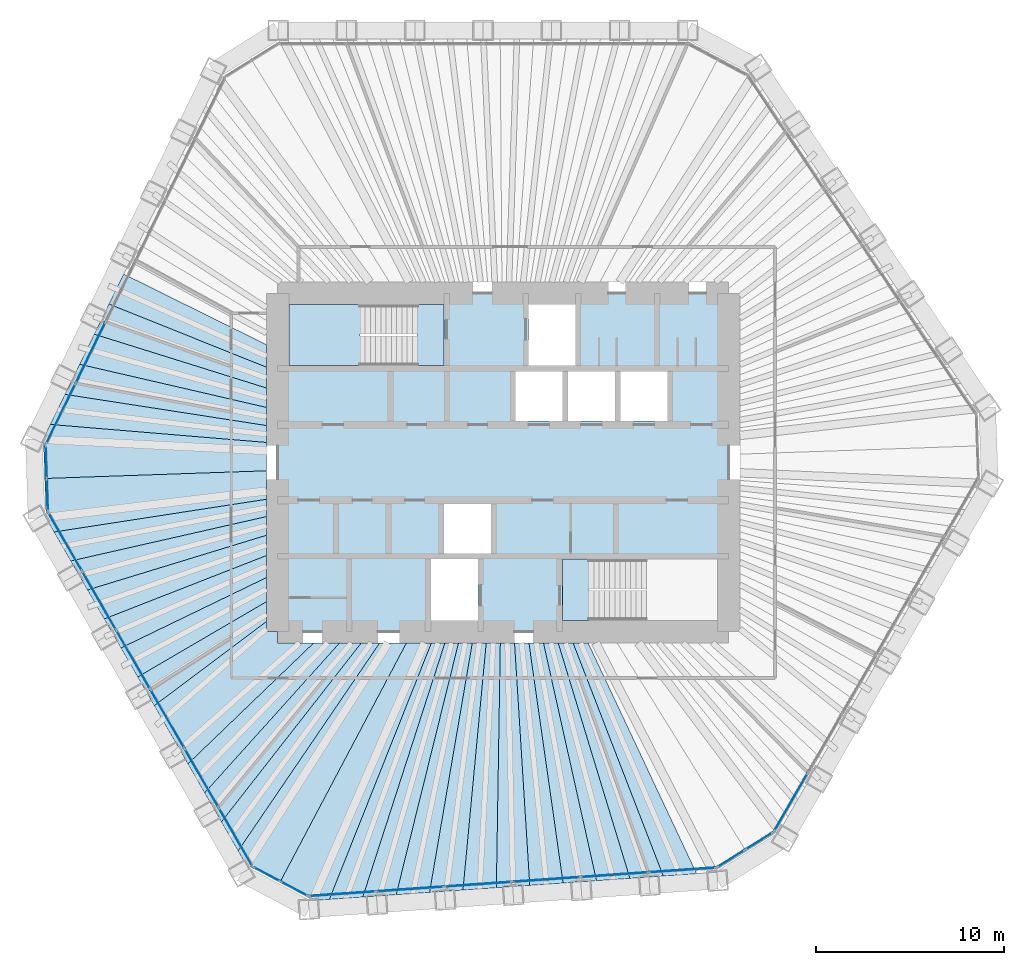
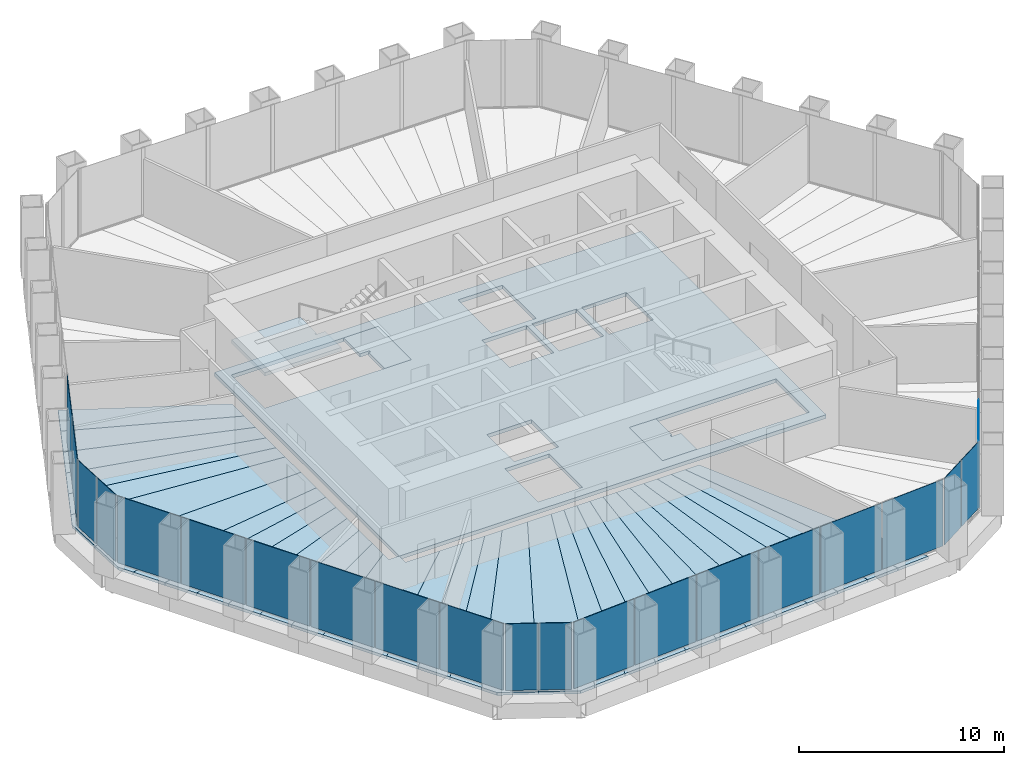
# One storey, part 8 of 13: 34 slabs, 21 plates, 9 elements without a shape of their own.
"""IFC4 building model written with IfcOpenShell, lengths in metres."""

import ifcopenshell
import ifcopenshell.guid

model = None  # the IFC model being written
_history = None  # IfcOwnerHistory: only IFC2X3 demands one
_inside = {}  # id of a spatial element -> (the spatial element, [elements in it])
_under = {}  # id of a project, library or spatial element -> (it, [spatial elements below it])
_declared = {}  # id of a project -> (the project, [libraries it declares])
_typed = {}  # id of a type object -> (the type object, [elements of that type])
_made_of = {}  # id of a material, layer set ... -> (it, [elements and type objects made of it])


def new_model(schema):
    """Start an empty IFC model of exactly this schema.

    Asked for "IFC4X3", IfcOpenShell would pick the latest addendum, in which some entities
    have other attributes; the version numbers below select the first issue.
    IFC2X3 requires an IfcOwnerHistory on every rooted entity: one is made here for all.
    """
    global model, _history
    if schema == "IFC4X3":
        model = ifcopenshell.file(schema_version=(4, 3, 0, 0))
    else:
        model = ifcopenshell.file(schema=schema)
    _inside.clear()
    _under.clear()
    _declared.clear()
    _typed.clear()
    _made_of.clear()
    _history = None
    if model.schema == "IFC2X3":
        org = make("IfcOrganization", Name="unknown")
        user = make(
            "IfcPersonAndOrganization",
            ThePerson=make("IfcPerson", FamilyName="unknown"),
            TheOrganization=org,
        )
        app = make(
            "IfcApplication",
            ApplicationDeveloper=org,
            Version="unknown",
            ApplicationFullName="unknown",
            ApplicationIdentifier="unknown",
        )
        _history = make(
            "IfcOwnerHistory",
            OwningUser=user,
            OwningApplication=app,
            ChangeAction="ADDED",
            CreationDate=0,
        )
    return model


def make(cls, **values):
    """One entity of the class cls with the attributes given. An attribute that is None is left unset."""
    return model.create_entity(
        cls, **{name: value for name, value in values.items() if value is not None}
    )


def rooted(cls, **values):
    """An entity with a GlobalId (a new one), such as an element, a storey or a relation."""
    return make(cls, GlobalId=ifcopenshell.guid.new(), OwnerHistory=_history, **values)


def si_unit(unit_type, name, prefix=None):
    """IfcSIUnit, for example si_unit("LENGTHUNIT", "METRE", prefix="MILLI")."""
    return make("IfcSIUnit", UnitType=unit_type, Prefix=prefix, Name=name)


def assignment(units):
    """IfcUnitAssignment: the units of a project."""
    return None if units is None else make("IfcUnitAssignment", Units=units)


def point(xyz):
    """IfcCartesianPoint."""
    return None if xyz is None else make("IfcCartesianPoint", Coordinates=xyz)


def direction(xyz):
    """IfcDirection."""
    return None if xyz is None else make("IfcDirection", DirectionRatios=xyz)


def frame(location, z_axis=None, x_axis=None):
    """IfcAxis2Placement3D, a coordinate frame: its origin and axes. An axis left out is left unset."""
    return make(
        "IfcAxis2Placement3D",
        Location=point(location),
        Axis=direction(z_axis),
        RefDirection=direction(x_axis),
    )


def frame_2d(location, x_axis=None):
    """IfcAxis2Placement2D, a coordinate frame in the plane: its origin and x axis."""
    return make(
        "IfcAxis2Placement2D", Location=point(location), RefDirection=direction(x_axis)
    )


def origin():
    """The frame at (0, 0, 0) with its axes left unset."""
    return frame((0.0, 0.0, 0.0))


def origin_2d():
    """The frame at (0, 0) in the plane with its x axis left unset."""
    return frame_2d((0.0, 0.0))


def place(relative_to, where):
    """IfcLocalPlacement: puts the frame where relative to a parent placement (None: the world)."""
    return make(
        "IfcLocalPlacement", PlacementRelTo=relative_to, RelativePlacement=where
    )


def context(
    kind, dimensions, precision=None, world=None, true_north=None, identifier=None
):
    """IfcGeometricRepresentationContext, for example the 3D "Model" context."""
    return make(
        "IfcGeometricRepresentationContext",
        ContextIdentifier=identifier,
        ContextType=kind,
        CoordinateSpaceDimension=dimensions,
        Precision=precision,
        WorldCoordinateSystem=world,
        TrueNorth=true_north,
    )


def subcontext(parent, identifier, kind, view, scale=None):
    """IfcGeometricRepresentationSubContext, for example "Body" below "Model"."""
    return make(
        "IfcGeometricRepresentationSubContext",
        ContextIdentifier=identifier,
        ContextType=kind,
        ParentContext=parent,
        TargetScale=scale,
        TargetView=view,
    )


def project(units=None, contexts=None):
    """IfcProject with its units and contexts."""
    return rooted(
        "IfcProject",
        Name="project",
        RepresentationContexts=contexts,
        UnitsInContext=assignment(units),
    )


def spatial(cls, under=None, at=None, **own):
    """A site, building, storey or space (cls), placed at a placement, below another one or the project."""
    s = rooted(cls, ObjectPlacement=at, **own)
    if under is not None:
        _under.setdefault(under.id(), (under, []))[1].append(s)
    return s


def polyline(points):
    """IfcPolyline through the points."""
    return make("IfcPolyline", Points=[point(p) for p in points])


def profile(cls, at=None, kind="AREA", **sizes):
    """A parametric profile (cls). Its sizes go by their IFC names, for example OverallWidth=200.0."""
    return make(cls, ProfileType=kind, Position=at, **sizes)


def rectangle(**sizes):
    """IfcRectangleProfileDef."""
    return profile("IfcRectangleProfileDef", **sizes)


def outline(outer, holes=None, kind="AREA"):
    """IfcArbitraryClosedProfileDef: a profile drawn as a closed curve; with holes, ...WithVoids."""
    if holes is None:
        return make("IfcArbitraryClosedProfileDef", ProfileType=kind, OuterCurve=outer)
    return make(
        "IfcArbitraryProfileDefWithVoids",
        ProfileType=kind,
        OuterCurve=outer,
        InnerCurves=holes,
    )


def extrude(swept, where, along, depth):
    """IfcExtrudedAreaSolid: the profile swept, set in the frame where, extruded along a direction by depth."""
    return make(
        "IfcExtrudedAreaSolid",
        SweptArea=swept,
        Position=where,
        ExtrudedDirection=direction(along),
        Depth=depth,
    )


def shape(context_of_items, identifier, shape_type, items):
    """IfcShapeRepresentation: the items that make up one representation, for example the "Body"."""
    return make(
        "IfcShapeRepresentation",
        ContextOfItems=context_of_items,
        RepresentationIdentifier=identifier,
        RepresentationType=shape_type,
        Items=items,
    )


def material(Name=None, Category=None):
    """IfcMaterial."""
    return make("IfcMaterial", Name=Name, Category=Category)


def layer(
    of_material, thickness, ventilated=None, Name=None, Category=None, Priority=None
):
    """IfcMaterialLayer: one layer of a wall or slab, of a material (None: an air gap)."""
    return make(
        "IfcMaterialLayer",
        Material=of_material,
        LayerThickness=thickness,
        IsVentilated=ventilated,
        Name=Name,
        Category=Category,
        Priority=Priority,
    )


def layer_set(layers, Name=None):
    """IfcMaterialLayerSet."""
    return make("IfcMaterialLayerSet", MaterialLayers=layers, LayerSetName=Name)


def made_of(thing, what):
    """Note that an element or type object is made of a material, layer set ...; save() writes the relation."""
    if what is not None:
        _made_of.setdefault(what.id(), (what, []))[1].append(thing)
    return thing


def type_object(cls, material=None, **own):
    """A type object (cls), such as IfcWallType, which elements share."""
    return made_of(rooted(cls, **own), material)


def element(
    cls,
    number,
    at=None,
    inside=None,
    cuts=None,
    type_object=None,
    material=None,
    context=None,
    identifier="Body",
    shape_type=None,
    held_by="IfcProductDefinitionShape",
    body=None,
    shapes=None,
    **own,
):
    """One element of the class cls, such as IfcWall. Its Tag is "e" and its number.

    at: its placement. inside: the storey or other place that contains it. cuts: it is an
    opening in that element (IfcRelVoidsElement). A single representation is given by context,
    identifier, shape_type and body (its items); several are given by shapes. held_by: the class
    of the entity that holds the representations. save() writes the other relations.
    """
    e = rooted(cls, Tag="e%d" % number, ObjectPlacement=at, **own)
    if body is not None:
        shapes = [shape(context, identifier, shape_type, body)]
    if shapes is not None:
        e.Representation = make(held_by, Representations=shapes)
    if inside is not None:
        _inside.setdefault(inside.id(), (inside, []))[1].append(e)
    if cuts is not None:
        rooted(
            "IfcRelVoidsElement", RelatingBuildingElement=cuts, RelatedOpeningElement=e
        )
    if type_object is not None:
        _typed.setdefault(type_object.id(), (type_object, []))[1].append(e)
    return made_of(e, material)


def aggregate(whole, parts):
    """IfcRelAggregates: a whole, such as a stair, and the parts it consists of."""
    return rooted("IfcRelAggregates", RelatingObject=whole, RelatedObjects=parts)


def save(model, path):
    """Write the relations noted so far, then the file.

    IfcRelAggregates (storeys below a building ...), IfcRelContainedInSpatialStructure (elements
    in a storey), IfcRelDefinesByType, IfcRelAssociatesMaterial and IfcRelDeclares: one each for
    every whole, place, type object, material and project.
    """
    for whole, parts in _under.values():
        aggregate(whole, parts)
    for where, things in _inside.values():
        rooted(
            "IfcRelContainedInSpatialStructure",
            RelatedElements=things,
            RelatingStructure=where,
        )
    for kind, things in _typed.values():
        rooted("IfcRelDefinesByType", RelatedObjects=things, RelatingType=kind)
    for what, things in _made_of.values():
        rooted("IfcRelAssociatesMaterial", RelatedObjects=things, RelatingMaterial=what)
    for by, libraries in _declared.values():
        rooted("IfcRelDeclares", RelatingContext=by, RelatedDefinitions=libraries)
    model.write(path)


model = new_model("IFC4")

# Units and contexts
model_context = context("Model", 3, precision=1e-05, world=origin(), true_north=direction((0.0, 1.0)))
body_context = subcontext(model_context, "Body", "Model", "MODEL_VIEW")
ifc_project = project(units=[si_unit("LENGTHUNIT", "METRE"), si_unit("AREAUNIT", "SQUARE_METRE"), si_unit("VOLUMEUNIT", "CUBIC_METRE"), si_unit("PLANEANGLEUNIT", "RADIAN"), si_unit("MASSUNIT", "GRAM", prefix="KILO")], contexts=[model_context])

# Site, building, storey
site_placement = place(None, origin())
site = spatial("IfcSite", under=ifc_project, at=site_placement, CompositionType="ELEMENT")
building_placement = place(site_placement, origin())
building = spatial("IfcBuilding", under=site, at=building_placement, Name="Qingtian Harvest Tower", CompositionType="ELEMENT")
storey_placement = place(building_placement, frame((0.0, 0.0, 188.800048828125)))
storey = spatial("IfcBuildingStorey", under=building, at=storey_placement, Name="L40", CompositionType="ELEMENT", Elevation=188.800048828125)

# Slabs
ifc_material_1 = material(Name="Concrete fc' 35 MPa", Category="concrete")
ifc_layer_1 = layer(ifc_material_1, 0.169921875)
ifc_layer_set_1 = layer_set([ifc_layer_1], Name="Composite floor slab FS17 170")
slab_type_1 = type_object("IfcSlabType", Name="Composite floor slab FS17 170", PredefinedType="FLOOR", material=ifc_layer_set_1)
slab_1_placement = place(storey_placement, frame((0.0, 0.0, -0.170166015625)))
element("IfcSlab", 1, at=slab_1_placement, inside=storey, type_object=slab_type_1, Name="Floor slab L40 panel D01", PredefinedType="FLOOR", context=body_context, shape_type="SweptSolid", body=[
    extrude(outline(polyline([(-24.403564453125, -0.852294921875), (-12.60009765625, -0.443115234375), (-12.60009765625, -1.958984375), (-23.9072265625, -3.701416015625), (-24.32958984375, -2.969970703125), (-24.403564453125, -0.852294921875)])), origin(), (0.0, 0.0, 1.0), 0.170166015625),
])
slab_2_placement = place(storey_placement, frame((0.0, 0.0, -0.170166015625)))
element("IfcSlab", 2, at=slab_2_placement, inside=storey, type_object=slab_type_1, Name="Floor slab L40 panel D02", PredefinedType="FLOOR", context=body_context, shape_type="SweptSolid", body=[
    extrude(outline(polyline([(-12.60009765625, -2.880126953125), (-23.016357421875, -5.244384765625), (-23.9072265625, -3.701416015625), (-12.60009765625, -1.958984375), (-12.60009765625, -2.880126953125)])), origin(), (0.0, 0.0, 1.0), 0.170166015625),
])
slab_3_placement = place(storey_placement, frame((0.0, 0.0, -0.170166015625)))
element("IfcSlab", 3, at=slab_3_placement, inside=storey, type_object=slab_type_1, Name="Floor slab L40 panel D03", PredefinedType="FLOOR", context=body_context, shape_type="SweptSolid", body=[
    extrude(outline(polyline([(-12.60009765625, -3.87548828125), (-22.12548828125, -6.78759765625), (-23.016357421875, -5.244384765625), (-12.60009765625, -2.880126953125), (-12.60009765625, -3.87548828125)])), origin(), (0.0, 0.0, 1.0), 0.170166015625),
])
slab_4_placement = place(storey_placement, frame((0.0, 0.0, -0.170166015625)))
element("IfcSlab", 4, at=slab_4_placement, inside=storey, type_object=slab_type_1, Name="Floor slab L40 panel D04", PredefinedType="FLOOR", context=body_context, shape_type="SweptSolid", body=[
    extrude(outline(polyline([(-12.60009765625, -4.95458984375), (-21.234619140625, -8.33056640625), (-22.12548828125, -6.78759765625), (-12.60009765625, -3.87548828125), (-12.60009765625, -4.95458984375)])), origin(), (0.0, 0.0, 1.0), 0.170166015625),
])
slab_5_placement = place(storey_placement, frame((0.0, 0.0, -0.170166015625)))
element("IfcSlab", 5, at=slab_5_placement, inside=storey, type_object=slab_type_1, Name="Floor slab L40 panel D05", PredefinedType="FLOOR", context=body_context, shape_type="SweptSolid", body=[
    extrude(outline(polyline([(-12.60009765625, -6.128173828125), (-20.34375, -9.87353515625), (-21.234619140625, -8.33056640625), (-12.60009765625, -4.95458984375), (-12.60009765625, -6.128173828125)])), origin(), (0.0, 0.0, 1.0), 0.170166015625),
])
slab_6_placement = place(storey_placement, frame((0.0, 0.0, -0.170166015625)))
element("IfcSlab", 6, at=slab_6_placement, inside=storey, type_object=slab_type_1, Name="Floor slab L40 panel D06", PredefinedType="FLOOR", context=body_context, shape_type="SweptSolid", body=[
    extrude(outline(polyline([(-12.60009765625, -7.409423828125), (-19.452880859375, -11.41650390625), (-20.34375, -9.87353515625), (-12.60009765625, -6.128173828125), (-12.60009765625, -7.409423828125)])), origin(), (0.0, 0.0, 1.0), 0.170166015625),
])
slab_7_placement = place(storey_placement, frame((0.0, 0.0, -0.170166015625)))
element("IfcSlab", 7, at=slab_7_placement, inside=storey, type_object=slab_type_1, Name="Floor slab L40 panel D07", PredefinedType="FLOOR", context=body_context, shape_type="SweptSolid", body=[
    extrude(outline(polyline([(-12.60009765625, -8.46435546875), (-18.5703125, -12.9453125), (-19.452880859375, -11.41650390625), (-12.60009765625, -7.409423828125), (-12.60009765625, -8.46435546875)])), origin(), (0.0, 0.0, 1.0), 0.170166015625),
])
slab_8_placement = place(storey_placement, frame((0.0, 0.0, -0.170166015625)))
element("IfcSlab", 8, at=slab_8_placement, inside=storey, type_object=slab_type_1, Name="Floor slab L40 panel D09", PredefinedType="FLOOR", context=body_context, shape_type="SweptSolid", body=[
    extrude(outline(polyline([(-16.781494140625, -16.043701171875), (-18.5703125, -12.9453125), (-12.60009765625, -8.46435546875), (-12.60009765625, -9.0), (-12.0, -9.0), (-12.0, -9.60009765625), (-10.07666015625, -9.60009765625), (-16.781494140625, -16.043701171875)])), origin(), (0.0, 0.0, 1.0), 0.170166015625),
])
slab_9_placement = place(storey_placement, frame((0.0, 0.0, -0.170166015625)))
element("IfcSlab", 9, at=slab_9_placement, inside=storey, type_object=slab_type_1, Name="Floor slab L40 panel D10", PredefinedType="FLOOR", context=body_context, shape_type="SweptSolid", body=[
    extrude(outline(polyline([(-8.700927734375, -9.60009765625), (-15.890380859375, -17.5869140625), (-16.781494140625, -16.043701171875), (-10.07666015625, -9.60009765625), (-8.700927734375, -9.60009765625)])), origin(), (0.0, 0.0, 1.0), 0.170166015625),
])
slab_10_placement = place(storey_placement, frame((0.0, 0.0, -0.170166015625)))
element("IfcSlab", 10, at=slab_10_placement, inside=storey, type_object=slab_type_1, Name="Floor slab L40 panel D11", PredefinedType="FLOOR", context=body_context, shape_type="SweptSolid", body=[
    extrude(outline(polyline([(-7.548095703125, -9.60009765625), (-14.99951171875, -19.1298828125), (-15.890380859375, -17.5869140625), (-8.700927734375, -9.60009765625), (-7.548095703125, -9.60009765625)])), origin(), (0.0, 0.0, 1.0), 0.170166015625),
])
slab_11_placement = place(storey_placement, frame((0.0, 0.0, -0.170166015625)))
element("IfcSlab", 11, at=slab_11_placement, inside=storey, type_object=slab_type_1, Name="Floor slab L40 panel D12", PredefinedType="FLOOR", context=body_context, shape_type="SweptSolid", body=[
    extrude(outline(polyline([(-6.568359375, -9.60009765625), (-14.108642578125, -20.673095703125), (-14.99951171875, -19.1298828125), (-7.548095703125, -9.60009765625), (-6.568359375, -9.60009765625)])), origin(), (0.0, 0.0, 1.0), 0.170166015625),
])
slab_12_placement = place(storey_placement, frame((0.0, 0.0, -0.170166015625)))
element("IfcSlab", 12, at=slab_12_placement, inside=storey, type_object=slab_type_1, Name="Floor slab L40 panel D13", PredefinedType="FLOOR", context=body_context, shape_type="SweptSolid", body=[
    extrude(outline(polyline([(-6.568359375, -9.60009765625), (-5.14501953125, -9.60009765625), (-11.890380859375, -22.359619140625), (-13.686279296875, -21.40478515625), (-14.108642578125, -20.673095703125), (-6.568359375, -9.60009765625)])), origin(), (0.0, 0.0, 1.0), 0.170166015625),
])
slab_13_placement = place(storey_placement, frame((0.0, 0.0, -0.170166015625)))
element("IfcSlab", 13, at=slab_13_placement, inside=storey, type_object=slab_type_1, Name="Floor slab L40 panel D14", PredefinedType="FLOOR", context=body_context, shape_type="SweptSolid", body=[
    extrude(outline(polyline([(-5.14501953125, -9.60009765625), (-3.817138671875, -9.60009765625), (-9.249755859375, -23.2568359375), (-10.092041015625, -23.315673828125), (-11.890380859375, -22.359619140625), (-5.14501953125, -9.60009765625)])), origin(), (0.0, 0.0, 1.0), 0.170166015625),
])
slab_14_placement = place(storey_placement, frame((0.0, 0.0, -0.170166015625)))
element("IfcSlab", 14, at=slab_14_placement, inside=storey, type_object=slab_type_1, Name="Floor slab L40 panel D15", PredefinedType="FLOOR", context=body_context, shape_type="SweptSolid", body=[
    extrude(outline(polyline([(-3.10009765625, -9.60009765625), (-7.472412109375, -23.132568359375), (-9.249755859375, -23.2568359375), (-3.817138671875, -9.60009765625), (-3.10009765625, -9.60009765625)])), origin(), (0.0, 0.0, 1.0), 0.170166015625),
])
slab_15_placement = place(storey_placement, frame((0.0, 0.0, -0.170166015625)))
element("IfcSlab", 15, at=slab_15_placement, inside=storey, type_object=slab_type_1, Name="Floor slab L40 panel D16", PredefinedType="FLOOR", context=body_context, shape_type="SweptSolid", body=[
    extrude(outline(polyline([(-2.375244140625, -9.60009765625), (-5.695068359375, -23.00830078125), (-7.472412109375, -23.132568359375), (-3.10009765625, -9.60009765625), (-2.375244140625, -9.60009765625)])), origin(), (0.0, 0.0, 1.0), 0.170166015625),
])
slab_16_placement = place(storey_placement, frame((0.0, 0.0, -0.170166015625)))
element("IfcSlab", 16, at=slab_16_placement, inside=storey, type_object=slab_type_1, Name="Floor slab L40 panel D17", PredefinedType="FLOOR", context=body_context, shape_type="SweptSolid", body=[
    extrude(outline(polyline([(-1.642578125, -9.60009765625), (-3.91796875, -22.884033203125), (-5.695068359375, -23.00830078125), (-2.375244140625, -9.60009765625), (-1.642578125, -9.60009765625)])), origin(), (0.0, 0.0, 1.0), 0.170166015625),
])
slab_17_placement = place(storey_placement, frame((0.0, 0.0, -0.170166015625)))
element("IfcSlab", 17, at=slab_17_placement, inside=storey, type_object=slab_type_1, Name="Floor slab L40 panel D18", PredefinedType="FLOOR", context=body_context, shape_type="SweptSolid", body=[
    extrude(outline(polyline([(-0.90185546875, -9.60009765625), (-2.140625, -22.759765625), (-3.91796875, -22.884033203125), (-1.642578125, -9.60009765625), (-0.90185546875, -9.60009765625)])), origin(), (0.0, 0.0, 1.0), 0.170166015625),
])
slab_18_placement = place(storey_placement, frame((0.0, 0.0, -0.170166015625)))
element("IfcSlab", 18, at=slab_18_placement, inside=storey, type_object=slab_type_1, Name="Floor slab L40 panel D19", PredefinedType="FLOOR", context=body_context, shape_type="SweptSolid", body=[
    extrude(outline(polyline([(-0.153076171875, -9.60009765625), (-0.36328125, -22.635498046875), (-2.140625, -22.759765625), (-0.90185546875, -9.60009765625), (-0.153076171875, -9.60009765625)])), origin(), (0.0, 0.0, 1.0), 0.170166015625),
])
slab_19_placement = place(storey_placement, frame((0.0, 0.0, -0.170166015625)))
element("IfcSlab", 19, at=slab_19_placement, inside=storey, type_object=slab_type_1, Name="Floor slab L40 panel D20", PredefinedType="FLOOR", context=body_context, shape_type="SweptSolid", body=[
    extrude(outline(polyline([(0.60400390625, -9.60009765625), (1.4140625, -22.51123046875), (-0.36328125, -22.635498046875), (-0.153076171875, -9.60009765625), (0.60400390625, -9.60009765625)])), origin(), (0.0, 0.0, 1.0), 0.170166015625),
])
slab_20_placement = place(storey_placement, frame((0.0, 0.0, -0.170166015625)))
element("IfcSlab", 20, at=slab_20_placement, inside=storey, type_object=slab_type_1, Name="Floor slab L40 panel D21", PredefinedType="FLOOR", context=body_context, shape_type="SweptSolid", body=[
    extrude(outline(polyline([(1.36962890625, -9.60009765625), (3.191162109375, -22.386962890625), (1.4140625, -22.51123046875), (0.60400390625, -9.60009765625), (1.36962890625, -9.60009765625)])), origin(), (0.0, 0.0, 1.0), 0.170166015625),
])
slab_21_placement = place(storey_placement, frame((0.0, 0.0, -0.170166015625)))
element("IfcSlab", 21, at=slab_21_placement, inside=storey, type_object=slab_type_1, Name="Floor slab L40 panel D22", PredefinedType="FLOOR", context=body_context, shape_type="SweptSolid", body=[
    extrude(outline(polyline([(2.1435546875, -9.60009765625), (4.968505859375, -22.2626953125), (3.191162109375, -22.386962890625), (1.36962890625, -9.60009765625), (2.1435546875, -9.60009765625)])), origin(), (0.0, 0.0, 1.0), 0.170166015625),
])
slab_22_placement = place(storey_placement, frame((0.0, 0.0, -0.170166015625)))
element("IfcSlab", 22, at=slab_22_placement, inside=storey, type_object=slab_type_1, Name="Floor slab L40 panel D23", PredefinedType="FLOOR", context=body_context, shape_type="SweptSolid", body=[
    extrude(outline(polyline([(2.92626953125, -9.60009765625), (6.745849609375, -22.138427734375), (4.968505859375, -22.2626953125), (2.1435546875, -9.60009765625), (2.92626953125, -9.60009765625)])), origin(), (0.0, 0.0, 1.0), 0.170166015625),
])
slab_23_placement = place(storey_placement, frame((0.0, 0.0, -0.170166015625)))
element("IfcSlab", 23, at=slab_23_placement, inside=storey, type_object=slab_type_1, Name="Floor slab L40 panel D24", PredefinedType="FLOOR", context=body_context, shape_type="SweptSolid", body=[
    extrude(outline(polyline([(3.718017578125, -9.60009765625), (8.523193359375, -22.01416015625), (6.745849609375, -22.138427734375), (2.92626953125, -9.60009765625), (3.718017578125, -9.60009765625)])), origin(), (0.0, 0.0, 1.0), 0.170166015625),
])
slab_24_placement = place(storey_placement, frame((0.0, 0.0, -0.170166015625)))
element("IfcSlab", 24, at=slab_24_placement, inside=storey, type_object=slab_type_1, Name="Floor slab L40 panel D25", PredefinedType="FLOOR", context=body_context, shape_type="SweptSolid", body=[
    extrude(outline(polyline([(4.5185546875, -9.60009765625), (10.30029296875, -21.889892578125), (8.523193359375, -22.01416015625), (3.718017578125, -9.60009765625), (4.5185546875, -9.60009765625)])), origin(), (0.0, 0.0, 1.0), 0.170166015625),
])
slab_25_placement = place(storey_placement, frame((0.0, 0.0, -0.170166015625)))
element("IfcSlab", 25, at=slab_25_placement, inside=storey, type_object=slab_type_1, Name="Floor slab L40 panel D73", PredefinedType="FLOOR", context=body_context, shape_type="SweptSolid", body=[
    extrude(outline(polyline([(-12.60009765625, 5.072509765625), (-20.983154296875, 8.43017578125), (-20.201904296875, 10.031494140625), (-12.60009765625, 6.268310546875), (-12.60009765625, 5.072509765625)])), origin(), (0.0, 0.0, 1.0), 0.170166015625),
])
slab_26_placement = place(storey_placement, frame((0.0, 0.0, -0.170166015625)))
element("IfcSlab", 26, at=slab_26_placement, inside=storey, type_object=slab_type_1, Name="Floor slab L40 panel D74", PredefinedType="FLOOR", context=body_context, shape_type="SweptSolid", body=[
    extrude(outline(polyline([(-12.60009765625, 3.962890625), (-21.76416015625, 6.828857421875), (-20.983154296875, 8.43017578125), (-12.60009765625, 5.072509765625), (-12.60009765625, 3.962890625)])), origin(), (0.0, 0.0, 1.0), 0.170166015625),
])
slab_27_placement = place(storey_placement, frame((0.0, 0.0, -0.170166015625)))
element("IfcSlab", 27, at=slab_27_placement, inside=storey, type_object=slab_type_1, Name="Floor slab L40 panel D75", PredefinedType="FLOOR", context=body_context, shape_type="SweptSolid", body=[
    extrude(outline(polyline([(-12.60009765625, 2.929931640625), (-22.545166015625, 5.2275390625), (-21.76416015625, 6.828857421875), (-12.60009765625, 3.962890625), (-12.60009765625, 2.929931640625)])), origin(), (0.0, 0.0, 1.0), 0.170166015625),
])
slab_28_placement = place(storey_placement, frame((0.0, 0.0, -0.170166015625)))
element("IfcSlab", 28, at=slab_28_placement, inside=storey, type_object=slab_type_1, Name="Floor slab L40 panel D76", PredefinedType="FLOOR", context=body_context, shape_type="SweptSolid", body=[
    extrude(outline(polyline([(-12.60009765625, 1.96630859375), (-23.326171875, 3.626220703125), (-22.545166015625, 5.2275390625), (-12.60009765625, 2.929931640625), (-12.60009765625, 1.96630859375)])), origin(), (0.0, 0.0, 1.0), 0.170166015625),
])
slab_29_placement = place(storey_placement, frame((0.0, 0.0, -0.170166015625)))
element("IfcSlab", 29, at=slab_29_placement, inside=storey, type_object=slab_type_1, Name="Floor slab L40 panel D77", PredefinedType="FLOOR", context=body_context, shape_type="SweptSolid", body=[
    extrude(outline(polyline([(-12.60009765625, 1.065185546875), (-24.107177734375, 2.02490234375), (-23.326171875, 3.626220703125), (-12.60009765625, 1.96630859375), (-12.60009765625, 1.065185546875)])), origin(), (0.0, 0.0, 1.0), 0.170166015625),
])
slab_30_placement = place(storey_placement, frame((0.0, 0.0, -0.170166015625)))
element("IfcSlab", 30, at=slab_30_placement, inside=storey, type_object=slab_type_1, Name="Floor slab L40 panel D78", PredefinedType="FLOOR", context=body_context, shape_type="SweptSolid", body=[
    extrude(outline(polyline([(-12.60009765625, 1.065185546875), (-12.60009765625, -0.443115234375), (-24.403564453125, -0.852294921875), (-24.4775390625, 1.265625), (-24.107177734375, 2.02490234375), (-12.60009765625, 1.065185546875)])), origin(), (0.0, 0.0, 1.0), 0.170166015625),
])
ifc_material_2 = material(Name="Concrete fc' 35 MPa", Category="concrete")
ifc_layer_2 = layer(ifc_material_2, 0.219970703125)
ifc_layer_set_2 = layer_set([ifc_layer_2], Name="Core floor slab CS22 220")
slab_type_2 = type_object("IfcSlabType", Name="Core floor slab CS22 220", PredefinedType="FLOOR", material=ifc_layer_set_2)
slab_31_placement = place(storey_placement, frame((0.0, 0.0, -0.219970703125)))
element("IfcSlab", 31, at=slab_31_placement, inside=storey, type_object=slab_type_2, Name="Core floor slab L40", PredefinedType="FLOOR", context=body_context, shape_type="SweptSolid", body=[
    extrude(outline(polyline([(-12.0, -9.0), (12.0, -9.0), (12.0, 9.0), (-12.0, 9.0), (-12.0, -9.0)]), holes=[polyline([(-11.39990234375, 5.14990234375), (-3.14990234375, 5.14990234375), (-3.14990234375, 8.39990234375), (-11.39990234375, 8.39990234375), (-11.39990234375, 5.14990234375)]), polyline([(3.14990234375, -8.39990234375), (11.39990234375, -8.39990234375), (11.39990234375, -5.14990234375), (3.14990234375, -5.14990234375), (3.14990234375, -8.39990234375)]), polyline([(1.35009765625, 5.14990234375), (3.85009765625, 5.14990234375), (3.85009765625, 8.39990234375), (1.35009765625, 8.39990234375), (1.35009765625, 5.14990234375)]), polyline([(-3.85009765625, -8.39990234375), (-1.35009765625, -8.39990234375), (-1.35009765625, -5.14990234375), (-3.85009765625, -5.14990234375), (-3.85009765625, -8.39990234375)]), polyline([(0.64990234375, 2.199951171875), (3.14990234375, 2.199951171875), (3.14990234375, 4.85009765625), (0.64990234375, 4.85009765625), (0.64990234375, 2.199951171875)]), polyline([(3.449951171875, 2.199951171875), (5.949951171875, 2.199951171875), (5.949951171875, 4.85009765625), (3.449951171875, 4.85009765625), (3.449951171875, 2.199951171875)]), polyline([(6.25, 2.199951171875), (8.75, 2.199951171875), (8.75, 4.85009765625), (6.25, 4.85009765625), (6.25, 2.199951171875)]), polyline([(-3.14990234375, -4.85009765625), (-0.64990234375, -4.85009765625), (-0.64990234375, -2.199951171875), (-3.14990234375, -2.199951171875), (-3.14990234375, -4.85009765625)])]), origin(), (0.0, 0.0, 1.0), 0.219970703125),
])

# Curtain wall, plate
ifc_material_3 = material(Name="Bronze-anodised aluminium curtain wall", Category="aluminium")
curtain_wall_type = type_object("IfcCurtainWallType", Name="Curtain wall CW4 office", PredefinedType="USERDEFINED", material=ifc_material_3)
curtain_wall_1_placement = place(storey_placement, origin())
curtain_wall_1 = element("IfcCurtainWall", 32, at=curtain_wall_1_placement, inside=storey, type_object=curtain_wall_type, Name="Curtain wall CW4 L40 SE0-5", ObjectType="RECESSED CURTAIN WALL", PredefinedType="USERDEFINED")
ifc_material_4 = material(Name="Bronze-tinted laminated insulating glass", Category="glass")
ifc_layer_3 = layer(ifc_material_4, 0.030029296875)
ifc_layer_set_3 = layer_set([ifc_layer_3], Name="Glazed panel CWP tinted IGU")
plate_type = type_object("IfcPlateType", Name="Glazed panel CWP tinted IGU", PredefinedType="CURTAIN_PANEL", material=ifc_layer_set_3)
plate_1_placement = place(storey_placement, frame((15.314208984375, -18.074951171875, 0.06494140625), z_axis=(0.0, 0.0, 1.0), x_axis=(-0.5, -0.866025403784, 0.0)))
plate_1 = element("IfcPlate", 33, at=plate_1_placement, type_object=plate_type, Name="CW4 panel 6.1", PredefinedType="CURTAIN_PANEL", context=body_context, shape_type="SweptSolid", body=[
    extrude(rectangle(XDim=3.5361328125, YDim=0.030029296875, at=origin_2d()), origin(), (0.0, 0.0, 1.0), 3.965087890625),
])
aggregate(curtain_wall_1, [plate_1])

# Curtain wall, plates
curtain_wall_2_placement = place(storey_placement, origin())
curtain_wall_2 = element("IfcCurtainWall", 34, at=curtain_wall_2_placement, inside=storey, type_object=curtain_wall_type, Name="Curtain wall CW4 L40 SEC", ObjectType="RECESSED CURTAIN WALL", PredefinedType="USERDEFINED")
plate_2_placement = place(storey_placement, frame((13.624755859375, -20.1455078125, 0.06494140625), z_axis=(0.0, 0.0, 1.0), x_axis=(-0.848048096156, -0.529919264233, 0.0)))
plate_2 = element("IfcPlate", 35, at=plate_2_placement, type_object=plate_type, Name="CW4 panel 1.1", PredefinedType="CURTAIN_PANEL", context=body_context, shape_type="SweptSolid", body=[
    extrude(rectangle(XDim=1.69287109375, YDim=0.030029296875, at=origin_2d()), origin(), (0.0, 0.0, 1.0), 3.965087890625),
])
plate_3_placement = place(storey_placement, frame((12.134033203125, -21.076904296875, 0.06494140625), z_axis=(0.0, 0.0, 1.0), x_axis=(-0.848048096156, -0.529919264233, 0.0)))
plate_3 = element("IfcPlate", 36, at=plate_3_placement, type_object=plate_type, Name="CW4 panel 2.1", PredefinedType="CURTAIN_PANEL", context=body_context, shape_type="SweptSolid", body=[
    extrude(rectangle(XDim=1.69287109375, YDim=0.030029296875, at=origin_2d()), origin(), (0.0, 0.0, 1.0), 3.965087890625),
])
aggregate(curtain_wall_2, [plate_2, plate_3])

curtain_wall_3_placement = place(storey_placement, origin())
curtain_wall_3 = element("IfcCurtainWall", 37, at=curtain_wall_3_placement, inside=storey, type_object=curtain_wall_type, Name="Curtain wall CW4 L40 S0-5", ObjectType="RECESSED CURTAIN WALL", PredefinedType="USERDEFINED")
plate_4_placement = place(storey_placement, frame((9.532470703125, -21.68798828125, 0.06494140625), z_axis=(0.0, 0.0, 1.0), x_axis=(-0.99756405026, -0.069756473744, 0.0)))
plate_4 = element("IfcPlate", 38, at=plate_4_placement, type_object=plate_type, Name="CW4 panel 1.1", PredefinedType="CURTAIN_PANEL", context=body_context, shape_type="SweptSolid", body=[
    extrude(rectangle(XDim=3.5361328125, YDim=0.030029296875, at=origin_2d()), origin(), (0.0, 0.0, 1.0), 3.965087890625),
])
plate_5_placement = place(storey_placement, frame((5.923828125, -21.940185546875, 0.06494140625), z_axis=(0.0, 0.0, 1.0), x_axis=(-0.99756405026, -0.069756473744, 0.0)))
plate_5 = element("IfcPlate", 39, at=plate_5_placement, type_object=plate_type, Name="CW4 panel 2.1", PredefinedType="CURTAIN_PANEL", context=body_context, shape_type="SweptSolid", body=[
    extrude(rectangle(XDim=3.568603515625, YDim=0.030029296875, at=origin_2d()), origin(), (0.0, 0.0, 1.0), 3.965087890625),
])
plate_6_placement = place(storey_placement, frame((2.299072265625, -22.193603515625, 0.06494140625), z_axis=(0.0, 0.0, 1.0), x_axis=(-0.99756405026, -0.069756473744, 0.0)))
plate_6 = element("IfcPlate", 40, at=plate_6_placement, type_object=plate_type, Name="CW4 panel 3.1", PredefinedType="CURTAIN_PANEL", context=body_context, shape_type="SweptSolid", body=[
    extrude(rectangle(XDim=3.568603515625, YDim=0.030029296875, at=origin_2d()), origin(), (0.0, 0.0, 1.0), 3.965087890625),
])
plate_7_placement = place(storey_placement, frame((-1.325439453125, -22.447021484375, 0.06494140625), z_axis=(0.0, 0.0, 1.0), x_axis=(-0.99756405026, -0.069756473744, 0.0)))
plate_7 = element("IfcPlate", 41, at=plate_7_placement, type_object=plate_type, Name="CW4 panel 4.1", PredefinedType="CURTAIN_PANEL", context=body_context, shape_type="SweptSolid", body=[
    extrude(rectangle(XDim=3.568603515625, YDim=0.030029296875, at=origin_2d()), origin(), (0.0, 0.0, 1.0), 3.965087890625),
])
plate_8_placement = place(storey_placement, frame((-4.9501953125, -22.70068359375, 0.06494140625), z_axis=(0.0, 0.0, 1.0), x_axis=(-0.99756405026, -0.069756473744, 0.0)))
plate_8 = element("IfcPlate", 42, at=plate_8_placement, type_object=plate_type, Name="CW4 panel 5.1", PredefinedType="CURTAIN_PANEL", context=body_context, shape_type="SweptSolid", body=[
    extrude(rectangle(XDim=3.568603515625, YDim=0.030029296875, at=origin_2d()), origin(), (0.0, 0.0, 1.0), 3.965087890625),
])
plate_9_placement = place(storey_placement, frame((-8.55859375, -22.952880859375, 0.06494140625), z_axis=(0.0, 0.0, 1.0), x_axis=(-0.99756405026, -0.069756473744, 0.0)))
plate_9 = element("IfcPlate", 43, at=plate_9_placement, type_object=plate_type, Name="CW4 panel 6.1", PredefinedType="CURTAIN_PANEL", context=body_context, shape_type="SweptSolid", body=[
    extrude(rectangle(XDim=3.5361328125, YDim=0.030029296875, at=origin_2d()), origin(), (0.0, 0.0, 1.0), 3.965087890625),
])
aggregate(curtain_wall_3, [plate_4, plate_5, plate_6, plate_7, plate_8, plate_9])

curtain_wall_4_placement = place(storey_placement, origin())
curtain_wall_4 = element("IfcCurtainWall", 44, at=curtain_wall_4_placement, inside=storey, type_object=curtain_wall_type, Name="Curtain wall CW4 L40 SC", ObjectType="RECESSED CURTAIN WALL", PredefinedType="USERDEFINED")
plate_10_placement = place(storey_placement, frame((-11.136474609375, -22.682373046875, 0.06494140625), z_axis=(0.0, 0.0, 1.0), x_axis=(-0.882947592859, 0.469471562786, 0.0)))
plate_10 = element("IfcPlate", 45, at=plate_10_placement, type_object=plate_type, Name="CW4 panel 1.1", PredefinedType="CURTAIN_PANEL", context=body_context, shape_type="SweptSolid", body=[
    extrude(rectangle(XDim=1.56689453125, YDim=0.030029296875, at=origin_2d()), origin(), (0.0, 0.0, 1.0), 3.965087890625),
])
plate_11_placement = place(storey_placement, frame((-12.5771484375, -21.916259765625, 0.06494140625), z_axis=(0.0, 0.0, 1.0), x_axis=(-0.882947592859, 0.469471562786, 0.0)))
plate_11 = element("IfcPlate", 46, at=plate_11_placement, type_object=plate_type, Name="CW4 panel 2.1", PredefinedType="CURTAIN_PANEL", context=body_context, shape_type="SweptSolid", body=[
    extrude(rectangle(XDim=1.56689453125, YDim=0.030029296875, at=origin_2d()), origin(), (0.0, 0.0, 1.0), 3.965087890625),
])
aggregate(curtain_wall_4, [plate_10, plate_11])

curtain_wall_5_placement = place(storey_placement, origin())
curtain_wall_5 = element("IfcCurtainWall", 47, at=curtain_wall_5_placement, inside=storey, type_object=curtain_wall_type, Name="Curtain wall CW4 L40 SW0-5", ObjectType="RECESSED CURTAIN WALL", PredefinedType="USERDEFINED")
plate_12_placement = place(storey_placement, frame((-14.242919921875, -19.9306640625, 0.06494140625), z_axis=(0.0, 0.0, 1.0), x_axis=(-0.5, 0.866025403784, 0.0)))
plate_12 = element("IfcPlate", 48, at=plate_12_placement, type_object=plate_type, Name="CW4 panel 1.1", PredefinedType="CURTAIN_PANEL", context=body_context, shape_type="SweptSolid", body=[
    extrude(rectangle(XDim=3.5361328125, YDim=0.030029296875, at=origin_2d()), origin(), (0.0, 0.0, 1.0), 3.965087890625),
])
plate_13_placement = place(storey_placement, frame((-16.051513671875, -16.7978515625, 0.06494140625), z_axis=(0.0, 0.0, 1.0), x_axis=(-0.5, 0.866025403784, 0.0)))
plate_13 = element("IfcPlate", 49, at=plate_13_placement, type_object=plate_type, Name="CW4 panel 2.1", PredefinedType="CURTAIN_PANEL", context=body_context, shape_type="SweptSolid", body=[
    extrude(rectangle(XDim=3.568603515625, YDim=0.030029296875, at=origin_2d()), origin(), (0.0, 0.0, 1.0), 3.965087890625),
])
plate_14_placement = place(storey_placement, frame((-17.868408203125, -13.651123046875, 0.06494140625), z_axis=(0.0, 0.0, 1.0), x_axis=(-0.5, 0.866025403784, 0.0)))
plate_14 = element("IfcPlate", 50, at=plate_14_placement, type_object=plate_type, Name="CW4 panel 3.1", PredefinedType="CURTAIN_PANEL", context=body_context, shape_type="SweptSolid", body=[
    extrude(rectangle(XDim=3.568603515625, YDim=0.030029296875, at=origin_2d()), origin(), (0.0, 0.0, 1.0), 3.965087890625),
])
plate_15_placement = place(storey_placement, frame((-19.68505859375, -10.50439453125, 0.06494140625), z_axis=(0.0, 0.0, 1.0), x_axis=(-0.5, 0.866025403784, 0.0)))
plate_15 = element("IfcPlate", 51, at=plate_15_placement, type_object=plate_type, Name="CW4 panel 4.1", PredefinedType="CURTAIN_PANEL", context=body_context, shape_type="SweptSolid", body=[
    extrude(rectangle(XDim=3.568603515625, YDim=0.030029296875, at=origin_2d()), origin(), (0.0, 0.0, 1.0), 3.965087890625),
])
plate_16_placement = place(storey_placement, frame((-21.501953125, -7.357666015625, 0.06494140625), z_axis=(0.0, 0.0, 1.0), x_axis=(-0.5, 0.866025403784, 0.0)))
plate_16 = element("IfcPlate", 52, at=plate_16_placement, type_object=plate_type, Name="CW4 panel 5.1", PredefinedType="CURTAIN_PANEL", context=body_context, shape_type="SweptSolid", body=[
    extrude(rectangle(XDim=3.568603515625, YDim=0.030029296875, at=origin_2d()), origin(), (0.0, 0.0, 1.0), 3.965087890625),
])
plate_17_placement = place(storey_placement, frame((-23.310546875, -4.22509765625, 0.06494140625), z_axis=(0.0, 0.0, 1.0), x_axis=(-0.5, 0.866025403784, 0.0)))
plate_17 = element("IfcPlate", 53, at=plate_17_placement, type_object=plate_type, Name="CW4 panel 6.1", PredefinedType="CURTAIN_PANEL", context=body_context, shape_type="SweptSolid", body=[
    extrude(rectangle(XDim=3.5361328125, YDim=0.030029296875, at=origin_2d()), origin(), (0.0, 0.0, 1.0), 3.965087890625),
])
aggregate(curtain_wall_5, [plate_12, plate_13, plate_14, plate_15, plate_16, plate_17])

curtain_wall_6_placement = place(storey_placement, origin())
curtain_wall_6 = element("IfcCurtainWall", 54, at=curtain_wall_6_placement, inside=storey, type_object=curtain_wall_type, Name="Curtain wall CW4 L40 SWC", ObjectType="RECESSED CURTAIN WALL", PredefinedType="USERDEFINED")
plate_18_placement = place(storey_placement, frame((-24.2587890625, -1.7265625, 0.06494140625), z_axis=(0.0, 0.0, 1.0), x_axis=(-0.034899496703, 0.999390827019, 0.0)))
plate_18 = element("IfcPlate", 55, at=plate_18_placement, type_object=plate_type, Name="CW4 panel 1.1", PredefinedType="CURTAIN_PANEL", context=body_context, shape_type="SweptSolid", body=[
    extrude(rectangle(XDim=1.69287109375, YDim=0.030029296875, at=origin_2d()), origin(), (0.0, 0.0, 1.0), 3.965087890625),
])
plate_19_placement = place(storey_placement, frame((-24.320068359375, 0.0302734375, 0.06494140625), z_axis=(0.0, 0.0, 1.0), x_axis=(-0.034899496703, 0.999390827019, 0.0)))
plate_19 = element("IfcPlate", 56, at=plate_19_placement, type_object=plate_type, Name="CW4 panel 2.1", PredefinedType="CURTAIN_PANEL", context=body_context, shape_type="SweptSolid", body=[
    extrude(rectangle(XDim=1.69287109375, YDim=0.030029296875, at=origin_2d()), origin(), (0.0, 0.0, 1.0), 3.965087890625),
])
aggregate(curtain_wall_6, [plate_18, plate_19])

curtain_wall_7_placement = place(storey_placement, origin())
curtain_wall_7 = element("IfcCurtainWall", 57, at=curtain_wall_7_placement, inside=storey, type_object=curtain_wall_type, Name="Curtain wall CW4 L40 NW0-5", ObjectType="RECESSED CURTAIN WALL", PredefinedType="USERDEFINED")
plate_20_placement = place(storey_placement, frame((-23.54833984375, 2.588623046875, 0.06494140625), z_axis=(0.0, 0.0, 1.0), x_axis=(0.438371146789, 0.898794046299, 0.0)))
plate_20 = element("IfcPlate", 58, at=plate_20_placement, type_object=plate_type, Name="CW4 panel 1.1", PredefinedType="CURTAIN_PANEL", context=body_context, shape_type="SweptSolid", body=[
    extrude(rectangle(XDim=3.5361328125, YDim=0.030029296875, at=origin_2d()), origin(), (0.0, 0.0, 1.0), 3.965087890625),
])
plate_21_placement = place(storey_placement, frame((-21.962646484375, 5.83984375, 0.06494140625), z_axis=(0.0, 0.0, 1.0), x_axis=(0.438371146789, 0.898794046299, 0.0)))
plate_21 = element("IfcPlate", 59, at=plate_21_placement, type_object=plate_type, Name="CW4 panel 2.1", PredefinedType="CURTAIN_PANEL", context=body_context, shape_type="SweptSolid", body=[
    extrude(rectangle(XDim=3.568603515625, YDim=0.030029296875, at=origin_2d()), origin(), (0.0, 0.0, 1.0), 3.965087890625),
])
aggregate(curtain_wall_7, [plate_20, plate_21])

# Stair, slabs
ifc_material_5 = material(Name="Concrete fc' 35 MPa", Category="concrete")
stair_type = type_object("IfcStairType", Name="Special stair ST4 4200", PredefinedType="HALF_TURN_STAIR", material=ifc_material_5)
stair_1_placement = place(storey_placement, origin())
stair_1 = element("IfcStair", 60, at=stair_1_placement, inside=storey, type_object=stair_type, Name="Special stair S1 L40", PredefinedType="HALF_TURN_STAIR")
ifc_material_6 = material(Name="Concrete fc' 35 MPa", Category="concrete")
ifc_layer_4 = layer(ifc_material_6, 0.199951171875)
ifc_layer_set_4 = layer_set([ifc_layer_4], Name="Stair landing SL2 200")
slab_type_3 = type_object("IfcSlabType", Name="Stair landing SL2 200", PredefinedType="LANDING", material=ifc_layer_set_4)
slab_32_placement = place(storey_placement, frame((0.0, 0.0, -0.199951171875)))
slab_32 = element("IfcSlab", 61, at=slab_32_placement, type_object=slab_type_3, Name="S1 landing 1", PredefinedType="LANDING", context=body_context, shape_type="SweptSolid", body=[
    extrude(outline(polyline([(-4.64990234375, 5.14990234375), (-4.64990234375, 6.72509765625), (-4.550048828125, 6.72509765625), (-4.550048828125, 6.824951171875), (-5.0849609375, 6.824951171875), (-5.0849609375, 8.39990234375), (-3.14990234375, 8.39990234375), (-3.14990234375, 5.14990234375), (-4.64990234375, 5.14990234375)])), origin(), (0.0, 0.0, 1.0), 0.199951171875),
])
slab_33_placement = place(storey_placement, frame((0.0, 0.0, 1.89990234375)))
slab_33 = element("IfcSlab", 62, at=slab_33_placement, type_object=slab_type_3, Name="S1 landing 2", PredefinedType="LANDING", context=body_context, shape_type="SweptSolid", body=[
    extrude(outline(polyline([(-7.094970703125, 5.14990234375), (-11.39990234375, 5.14990234375), (-11.39990234375, 8.39990234375), (-7.530029296875, 8.39990234375), (-7.530029296875, 6.824951171875), (-7.6298828125, 6.824951171875), (-7.6298828125, 6.72509765625), (-7.094970703125, 6.72509765625), (-7.094970703125, 5.14990234375)])), origin(), (0.0, 0.0, 1.0), 0.199951171875),
])
aggregate(stair_1, [slab_32, slab_33])

# Stair, slab
stair_2_placement = place(storey_placement, origin())
stair_2 = element("IfcStair", 63, at=stair_2_placement, inside=storey, type_object=stair_type, Name="Special stair S2 L40", PredefinedType="HALF_TURN_STAIR")
slab_34_placement = place(storey_placement, frame((0.0, 0.0, -0.199951171875)))
slab_34 = element("IfcSlab", 64, at=slab_34_placement, type_object=slab_type_3, Name="S2 landing 1", PredefinedType="LANDING", context=body_context, shape_type="SweptSolid", body=[
    extrude(outline(polyline([(5.0849609375, -8.39990234375), (3.14990234375, -8.39990234375), (3.14990234375, -5.14990234375), (4.64990234375, -5.14990234375), (4.64990234375, -6.72509765625), (4.550048828125, -6.72509765625), (4.550048828125, -6.824951171875), (5.0849609375, -6.824951171875), (5.0849609375, -8.39990234375)])), origin(), (0.0, 0.0, 1.0), 0.199951171875),
])
aggregate(stair_2, [slab_34])

save(model, "model.ifc")
